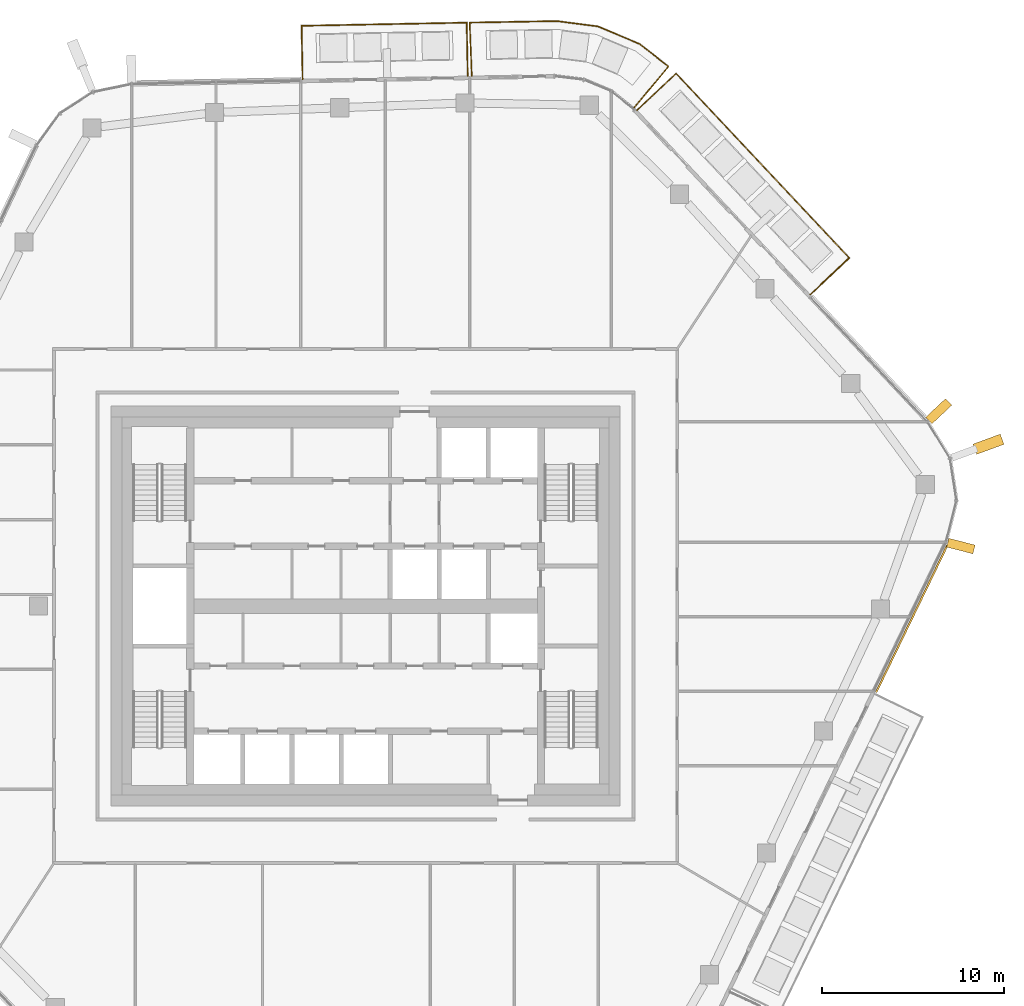
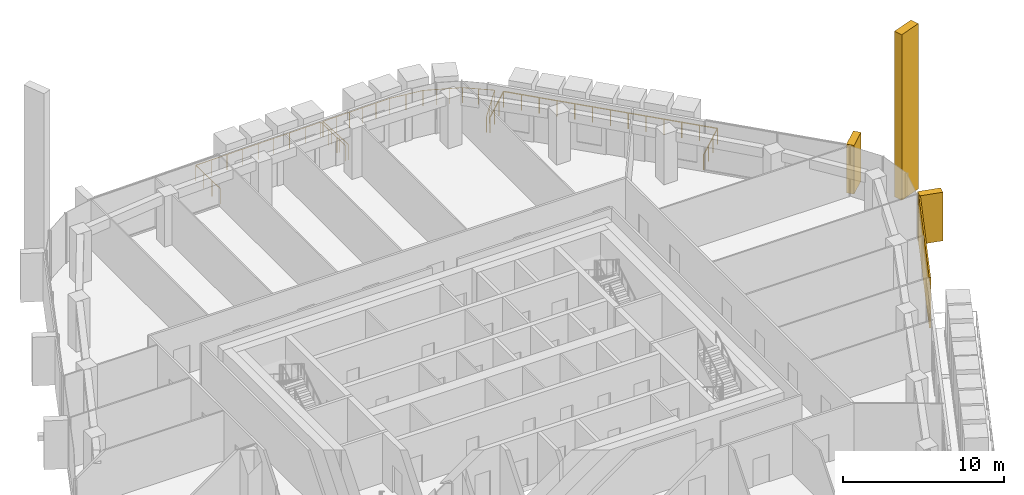
# One storey, part 24 of 24: 4 coverings, 3 railings, 3 elements without a shape of their own.
"""IFC4 building model written with IfcOpenShell, lengths in metres."""

from ifc_helpers import new_model, si_unit, direction, frame, origin, origin_2d, place, context, subcontext, project, spatial, rectangle, circle, extrude, material, layer, layer_set, material_profile, profile_set, type_object, element, aggregate, save


model = new_model("IFC4")

# Units and contexts
model_context = context("Model", 3, precision=1e-05, world=origin(), true_north=direction((0.0, 1.0)))
body_context = subcontext(model_context, "Body", "Model", "MODEL_VIEW")
ifc_project = project(units=[si_unit("LENGTHUNIT", "METRE"), si_unit("AREAUNIT", "SQUARE_METRE"), si_unit("VOLUMEUNIT", "CUBIC_METRE"), si_unit("PLANEANGLEUNIT", "RADIAN"), si_unit("MASSUNIT", "GRAM", prefix="KILO")], contexts=[model_context])

# Site, building, storey
site_placement = place(None, origin())
site = spatial("IfcSite", under=ifc_project, at=site_placement, CompositionType="ELEMENT")
building_placement = place(site_placement, origin())
building = spatial("IfcBuilding", under=site, at=building_placement, Name="Dongbaek Canopy Tower", CompositionType="ELEMENT")
storey_placement = place(building_placement, frame((0.0, 0.0, 294.199951171875)))
storey = spatial("IfcBuildingStorey", under=building, at=storey_placement, Name="L62", CompositionType="ELEMENT", Elevation=294.199951171875)

# Railings
ifc_material_1 = material(Name="Stainless steel", Category="steel")
railing_type = type_object("IfcRailingType", Name="Balcony balustrade 1200", PredefinedType="BALUSTRADE", material=ifc_material_1)
railing_1_placement = place(storey_placement, frame((24.47998046875, 17.14892578125, 0.0)))
element("IfcRailing", 1, at=railing_1_placement, inside=storey, type_object=railing_type, Name="Balcony guard L62 1", PredefinedType="BALUSTRADE", context=body_context, shape_type="SweptSolid", body=[
    extrude(circle(Radius=0.02392578125, at=origin_2d()), frame((0.0, 0.0, 1.17578125), z_axis=(0.728728771938, 0.684802436437, 0.0), x_axis=(-0.684802436437, 0.728728771938, 0.0)), (0.0, 0.0, 1.0), 2.940185546875),
    extrude(circle(Radius=0.02392578125, at=origin_2d()), frame((2.142578125, 2.013427734375, 1.17578125), z_axis=(-0.684839226649, 0.728694197618, 0.0), x_axis=(-0.728694197618, -0.684839226649, 0.0)), (0.0, 0.0, 1.0), 13.91748046875),
    extrude(circle(Radius=0.02392578125, at=origin_2d()), frame((-7.388671875, 12.155029296875, 1.17578125), z_axis=(-0.728731270037, -0.684799778088, 0.0), x_axis=(0.684799778088, -0.728731270037, 0.0)), (0.0, 0.0, 1.0), 2.939697265625),
    extrude(circle(Radius=0.02099609375, at=origin_2d()), origin(), (0.0, 0.0, 1.0), 1.15185546875),
    extrude(circle(Radius=0.02099609375, at=origin_2d()), frame((0.714111328125, 0.671142578125, 0.0)), (0.0, 0.0, 1.0), 1.15185546875),
    extrude(circle(Radius=0.02099609375, at=origin_2d()), frame((1.428466796875, 1.34228515625, 0.0)), (0.0, 0.0, 1.0), 1.15185546875),
    extrude(circle(Radius=0.02099609375, at=origin_2d()), frame((2.142578125, 2.013427734375, 0.0)), (0.0, 0.0, 1.0), 1.15185546875),
    extrude(circle(Radius=0.02099609375, at=origin_2d()), frame((1.348388671875, 2.858642578125, 0.0)), (0.0, 0.0, 1.0), 1.15185546875),
    extrude(circle(Radius=0.02099609375, at=origin_2d()), frame((0.553955078125, 3.70361328125, 0.0)), (0.0, 0.0, 1.0), 1.15185546875),
    extrude(circle(Radius=0.02099609375, at=origin_2d()), frame((-0.240234375, 4.548828125, 0.0)), (0.0, 0.0, 1.0), 1.15185546875),
    extrude(circle(Radius=0.02099609375, at=origin_2d()), frame((-1.034423828125, 5.39404296875, 0.0)), (0.0, 0.0, 1.0), 1.15185546875),
    extrude(circle(Radius=0.02099609375, at=origin_2d()), frame((-1.828857421875, 6.239013671875, 0.0)), (0.0, 0.0, 1.0), 1.15185546875),
    extrude(circle(Radius=0.02099609375, at=origin_2d()), frame((-2.623046875, 7.084228515625, 0.0)), (0.0, 0.0, 1.0), 1.15185546875),
    extrude(circle(Radius=0.02099609375, at=origin_2d()), frame((-3.417236328125, 7.929443359375, 0.0)), (0.0, 0.0, 1.0), 1.15185546875),
    extrude(circle(Radius=0.02099609375, at=origin_2d()), frame((-4.211669921875, 8.7744140625, 0.0)), (0.0, 0.0, 1.0), 1.15185546875),
    extrude(circle(Radius=0.02099609375, at=origin_2d()), frame((-5.005859375, 9.61962890625, 0.0)), (0.0, 0.0, 1.0), 1.15185546875),
    extrude(circle(Radius=0.02099609375, at=origin_2d()), frame((-5.800048828125, 10.46484375, 0.0)), (0.0, 0.0, 1.0), 1.15185546875),
    extrude(circle(Radius=0.02099609375, at=origin_2d()), frame((-6.594482421875, 11.309814453125, 0.0)), (0.0, 0.0, 1.0), 1.15185546875),
    extrude(circle(Radius=0.02099609375, at=origin_2d()), frame((-7.388671875, 12.155029296875, 0.0)), (0.0, 0.0, 1.0), 1.15185546875),
    extrude(circle(Radius=0.02099609375, at=origin_2d()), frame((-8.102783203125, 11.48388671875, 0.0)), (0.0, 0.0, 1.0), 1.15185546875),
    extrude(circle(Radius=0.02099609375, at=origin_2d()), frame((-8.81689453125, 10.81298828125, 0.0)), (0.0, 0.0, 1.0), 1.15185546875),
    extrude(circle(Radius=0.02099609375, at=origin_2d()), frame((-9.531005859375, 10.141845703125, 0.0)), (0.0, 0.0, 1.0), 1.15185546875),
])
railing_2_placement = place(storey_placement, frame((5.623046875, 29.170654296875, 0.0)))
element("IfcRailing", 2, at=railing_2_placement, inside=storey, type_object=railing_type, Name="Balcony guard L62 2", PredefinedType="BALUSTRADE", context=body_context, shape_type="SweptSolid", body=[
    extrude(circle(Radius=0.02392578125, at=origin_2d()), frame((0.0, 0.0, 1.17578125), z_axis=(-0.018933482557, 0.999820745553, 0.0), x_axis=(-0.999820745553, -0.018933482557, 0.0)), (0.0, 0.0, 1.0), 2.93994140625),
    extrude(circle(Radius=0.02392578125, at=origin_2d()), frame((-0.0556640625, 2.939453125, 1.17578125), z_axis=(-0.999821282881, -0.018905086569, 0.0), x_axis=(0.018905086569, -0.999821282881, 0.0)), (0.0, 0.0, 1.0), 9.091552734375),
    extrude(circle(Radius=0.02392578125, at=origin_2d()), frame((-9.1455078125, 2.767578125, 1.17578125), z_axis=(0.018933482557, -0.999820745553, 0.0), x_axis=(0.999820745553, 0.018933482557, 0.0)), (0.0, 0.0, 1.0), 2.93994140625),
    extrude(circle(Radius=0.02099609375, at=origin_2d()), origin(), (0.0, 0.0, 1.0), 1.15185546875),
    extrude(circle(Radius=0.02099609375, at=origin_2d()), frame((-0.0185546875, 0.979736328125, 0.0)), (0.0, 0.0, 1.0), 1.15185546875),
    extrude(circle(Radius=0.02099609375, at=origin_2d()), frame((-0.037109375, 1.959716796875, 0.0)), (0.0, 0.0, 1.0), 1.15185546875),
    extrude(circle(Radius=0.02099609375, at=origin_2d()), frame((-0.0556640625, 2.939453125, 0.0)), (0.0, 0.0, 1.0), 1.15185546875),
    extrude(circle(Radius=0.02099609375, at=origin_2d()), frame((-1.19189453125, 2.91796875, 0.0)), (0.0, 0.0, 1.0), 1.15185546875),
    extrude(circle(Radius=0.02099609375, at=origin_2d()), frame((-2.328125, 2.896484375, 0.0)), (0.0, 0.0, 1.0), 1.15185546875),
    extrude(circle(Radius=0.02099609375, at=origin_2d()), frame((-3.46435546875, 2.875, 0.0)), (0.0, 0.0, 1.0), 1.15185546875),
    extrude(circle(Radius=0.02099609375, at=origin_2d()), frame((-4.6005859375, 2.853515625, 0.0)), (0.0, 0.0, 1.0), 1.15185546875),
    extrude(circle(Radius=0.02099609375, at=origin_2d()), frame((-5.73681640625, 2.83203125, 0.0)), (0.0, 0.0, 1.0), 1.15185546875),
    extrude(circle(Radius=0.02099609375, at=origin_2d()), frame((-6.873046875, 2.810546875, 0.0)), (0.0, 0.0, 1.0), 1.15185546875),
    extrude(circle(Radius=0.02099609375, at=origin_2d()), frame((-8.00927734375, 2.7890625, 0.0)), (0.0, 0.0, 1.0), 1.15185546875),
    extrude(circle(Radius=0.02099609375, at=origin_2d()), frame((-9.1455078125, 2.767578125, 0.0)), (0.0, 0.0, 1.0), 1.15185546875),
    extrude(circle(Radius=0.02099609375, at=origin_2d()), frame((-9.126953125, 1.787841796875, 0.0)), (0.0, 0.0, 1.0), 1.15185546875),
    extrude(circle(Radius=0.02099609375, at=origin_2d()), frame((-9.1083984375, 0.807861328125, 0.0)), (0.0, 0.0, 1.0), 1.15185546875),
    extrude(circle(Radius=0.02099609375, at=origin_2d()), frame((-9.08984375, -0.171875, 0.0)), (0.0, 0.0, 1.0), 1.15185546875),
])
railing_3_placement = place(storey_placement, frame((14.787841796875, 27.439697265625, 0.0)))
element("IfcRailing", 3, at=railing_3_placement, inside=storey, type_object=railing_type, Name="Balcony guard L62 6", PredefinedType="BALUSTRADE", context=body_context, shape_type="SweptSolid", body=[
    extrude(circle(Radius=0.02392578125, at=origin_2d()), frame((0.0, 0.0, 1.17578125), z_axis=(0.642411003092, 0.766360295883, 0.0), x_axis=(-0.766360295883, 0.642411003092, 0.0)), (0.0, 0.0, 1.0), 2.940673828125),
    extrude(circle(Radius=0.02392578125, at=origin_2d()), frame((1.88916015625, 2.253662109375, 1.17578125), z_axis=(-0.788090218585, 0.615559751259, 0.0), x_axis=(-0.615559751259, -0.788090218585, 0.0)), (0.0, 0.0, 1.0), 2.0234375),
    extrude(circle(Radius=0.02392578125, at=origin_2d()), frame((0.29443359375, 3.499267578125, 1.17578125), z_axis=(-0.921550156042, 0.388259333306, 0.0), x_axis=(-0.388259333306, -0.921550156042, 0.0)), (0.0, 0.0, 1.0), 2.481201171875),
    extrude(circle(Radius=0.02392578125, at=origin_2d()), frame((-1.9921875, 4.462646484375, 1.17578125), z_axis=(-0.991597422728, 0.129362093518, 0.0), x_axis=(-0.129362093518, -0.991597422728, 0.0)), (0.0, 0.0, 1.0), 2.27783203125),
    extrude(circle(Radius=0.02392578125, at=origin_2d()), frame((-4.2509765625, 4.75732421875, 1.17578125), z_axis=(-0.999848444694, -0.017409412484, 0.0), x_axis=(0.017409412484, -0.999848444694, 0.0)), (0.0, 0.0, 1.0), 4.81005859375),
    extrude(circle(Radius=0.02392578125, at=origin_2d()), frame((-9.060302734375, 4.673583984375, 1.17578125), z_axis=(0.039268459081, -0.999228696606, 0.0), x_axis=(0.999228696606, 0.039268459081, 0.0)), (0.0, 0.0, 1.0), 2.940673828125),
    extrude(circle(Radius=0.02099609375, at=origin_2d()), origin(), (0.0, 0.0, 1.0), 1.15185546875),
    extrude(circle(Radius=0.02099609375, at=origin_2d()), frame((0.629638671875, 0.751220703125, 0.0)), (0.0, 0.0, 1.0), 1.15185546875),
    extrude(circle(Radius=0.02099609375, at=origin_2d()), frame((1.259521484375, 1.50244140625, 0.0)), (0.0, 0.0, 1.0), 1.15185546875),
    extrude(circle(Radius=0.02099609375, at=origin_2d()), frame((1.88916015625, 2.253662109375, 0.0)), (0.0, 0.0, 1.0), 1.15185546875),
    extrude(circle(Radius=0.02099609375, at=origin_2d()), frame((1.091796875, 2.87646484375, 0.0)), (0.0, 0.0, 1.0), 1.15185546875),
    extrude(circle(Radius=0.02099609375, at=origin_2d()), frame((0.29443359375, 3.499267578125, 0.0)), (0.0, 0.0, 1.0), 1.15185546875),
    extrude(circle(Radius=0.02099609375, at=origin_2d()), frame((-0.4677734375, 3.8203125, 0.0)), (0.0, 0.0, 1.0), 1.15185546875),
    extrude(circle(Radius=0.02099609375, at=origin_2d()), frame((-1.22998046875, 4.1416015625, 0.0)), (0.0, 0.0, 1.0), 1.15185546875),
    extrude(circle(Radius=0.02099609375, at=origin_2d()), frame((-1.9921875, 4.462646484375, 0.0)), (0.0, 0.0, 1.0), 1.15185546875),
    extrude(circle(Radius=0.02099609375, at=origin_2d()), frame((-3.12158203125, 4.60986328125, 0.0)), (0.0, 0.0, 1.0), 1.15185546875),
    extrude(circle(Radius=0.02099609375, at=origin_2d()), frame((-4.2509765625, 4.75732421875, 0.0)), (0.0, 0.0, 1.0), 1.15185546875),
    extrude(circle(Radius=0.02099609375, at=origin_2d()), frame((-5.212890625, 4.740478515625, 0.0)), (0.0, 0.0, 1.0), 1.15185546875),
    extrude(circle(Radius=0.02099609375, at=origin_2d()), frame((-6.1748046875, 4.723876953125, 0.0)), (0.0, 0.0, 1.0), 1.15185546875),
    extrude(circle(Radius=0.02099609375, at=origin_2d()), frame((-7.136474609375, 4.70703125, 0.0)), (0.0, 0.0, 1.0), 1.15185546875),
    extrude(circle(Radius=0.02099609375, at=origin_2d()), frame((-8.098388671875, 4.6904296875, 0.0)), (0.0, 0.0, 1.0), 1.15185546875),
    extrude(circle(Radius=0.02099609375, at=origin_2d()), frame((-9.060302734375, 4.673583984375, 0.0)), (0.0, 0.0, 1.0), 1.15185546875),
    extrude(circle(Radius=0.02099609375, at=origin_2d()), frame((-9.021728515625, 3.694091796875, 0.0)), (0.0, 0.0, 1.0), 1.15185546875),
    extrude(circle(Radius=0.02099609375, at=origin_2d()), frame((-8.9833984375, 2.714599609375, 0.0)), (0.0, 0.0, 1.0), 1.15185546875),
    extrude(circle(Radius=0.02099609375, at=origin_2d()), frame((-8.94482421875, 1.735107421875, 0.0)), (0.0, 0.0, 1.0), 1.15185546875),
])

# Curtain wall, covering
ifc_material_2 = material(Name="Aluminium 6063-T6 pale anodised", Category="aluminium")
ifc_layer_1 = layer(ifc_material_2, 0.199951171875)
ifc_layer_set_1 = layer_set([ifc_layer_1], Name="CW-1 unitised tower curtain wall")
curtain_wall_type = type_object("IfcCurtainWallType", Name="CW-1 unitised tower curtain wall", PredefinedType="NOTDEFINED", material=ifc_layer_set_1)
curtain_wall_1_placement = place(storey_placement, origin())
curtain_wall_1 = element("IfcCurtainWall", 4, at=curtain_wall_1_placement, inside=storey, type_object=curtain_wall_type, Name="CW-1 curtain wall K0.1", PredefinedType="NOTDEFINED")
ifc_material_3 = material(Name="Aluminium 6063-T6 pale metal fin", Category="aluminium")
ifc_material_profile_1 = material_profile(ifc_material_3, rectangle(XDim=1.60009765625, YDim=0.60009765625, at=origin_2d()), Name="Corner fin CN1 600 x 1600 pale metal")
ifc_profile_set_1 = profile_set([ifc_material_profile_1], Name="Aluminium 6063-T6 pale metal fin")
covering_type_1 = type_object("IfcCoveringType", Name="Corner fin CN1 600 x 1600 pale metal", PredefinedType="CLADDING", material=ifc_profile_set_1)
covering_1_placement = place(storey_placement, frame((34.286376953125, 8.90625, -0.18994140625), z_axis=(0.0, 0.0, 1.0), x_axis=(0.938484585253, 0.345321130606, 0.0)))
covering_1 = element("IfcCovering", 5, at=covering_1_placement, type_object=covering_type_1, Name="Corner fin L62 L64 K0", PredefinedType="CLADDING", context=body_context, shape_type="SweptSolid", body=[
    extrude(rectangle(XDim=1.60009765625, YDim=0.60009765625, at=origin_2d()), origin(), (0.0, 0.0, 1.0), 12.580078125),
])

curtain_wall_2_placement = place(storey_placement, origin())
curtain_wall_2 = element("IfcCurtainWall", 6, at=curtain_wall_2_placement, inside=storey, type_object=curtain_wall_type, Name="CW-1 curtain wall F5.1", PredefinedType="NOTDEFINED")
ifc_material_4 = material(Name="Perforated aluminium 6063-T6 pale metal screen", Category="aluminium")
ifc_layer_2 = layer(ifc_material_4, 0.10009765625)
ifc_layer_set_2 = layer_set([ifc_layer_2], Name="Facet screen FS1 100 pale metal")
covering_type_2 = type_object("IfcCoveringType", Name="Facet screen FS1 100 pale metal", PredefinedType="CLADDING", material=ifc_layer_set_2)
covering_2_placement = place(storey_placement, frame((30.062255859375, -0.708251953125, 0.0), z_axis=(0.0, 0.0, 1.0), x_axis=(0.435862675975, 0.900013181955, 0.0)))
covering_2 = element("IfcCovering", 7, at=covering_2_placement, type_object=covering_type_2, Name="Facet screen L62 F5", PredefinedType="CLADDING", context=body_context, shape_type="SweptSolid", body=[
    extrude(rectangle(XDim=8.993896484375, YDim=0.10009765625, at=origin_2d()), origin(), (0.0, 0.0, 1.0), 3.820068359375),
])
aggregate(curtain_wall_2, [covering_2])

# Covering
ifc_material_5 = material(Name="Aluminium 6063-T6 pale metal fin", Category="aluminium")
ifc_material_profile_2 = material_profile(ifc_material_5, rectangle(XDim=1.5, YDim=0.5, at=origin_2d()), Name="Fin FN1 500 x 1500 pale metal")
ifc_profile_set_2 = profile_set([ifc_material_profile_2], Name="Aluminium 6063-T6 pale metal fin")
covering_type_3 = type_object("IfcCoveringType", Name="Fin FN1 500 x 1500 pale metal", PredefinedType="CLADDING", material=ifc_profile_set_2)
covering_3_placement = place(storey_placement, frame((32.766845703125, 3.30078125, 0.1201171875), z_axis=(0.0, 0.0, 1.0), x_axis=(0.968887047372, -0.247503311967, 0.0)))
covering_3 = element("IfcCovering", 8, at=covering_3_placement, type_object=covering_type_3, Name="Fin K0.1.1", PredefinedType="CLADDING", context=body_context, shape_type="SweptSolid", body=[
    extrude(rectangle(XDim=1.5, YDim=0.5, at=origin_2d()), origin(), (0.0, 0.0, 1.0), 3.699951171875),
])

aggregate(curtain_wall_1, [covering_3, covering_1])

# Curtain wall, covering
curtain_wall_3_placement = place(storey_placement, origin())
curtain_wall_3 = element("IfcCurtainWall", 9, at=curtain_wall_3_placement, inside=storey, type_object=curtain_wall_type, Name="CW-1 curtain wall F0.1", PredefinedType="NOTDEFINED")
covering_4_placement = place(storey_placement, frame((31.549560546875, 10.7216796875, 0.1201171875), z_axis=(0.0, 0.0, 1.0), x_axis=(0.728702280393, 0.684830626177, 0.0)))
covering_4 = element("IfcCovering", 10, at=covering_4_placement, type_object=covering_type_3, Name="Fin F0.1.1", PredefinedType="CLADDING", context=body_context, shape_type="SweptSolid", body=[
    extrude(rectangle(XDim=1.5, YDim=0.5, at=origin_2d()), origin(), (0.0, 0.0, 1.0), 3.699951171875),
])
aggregate(curtain_wall_3, [covering_4])

save(model, "model.ifc")
